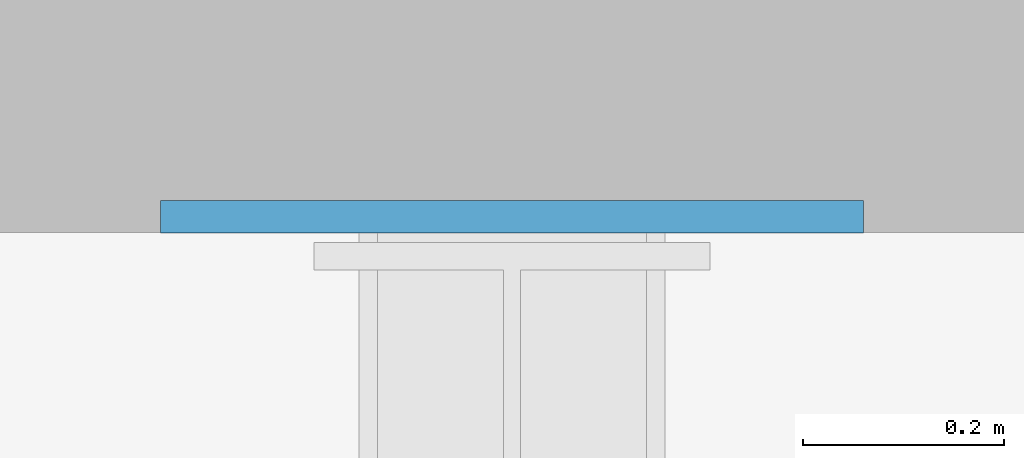
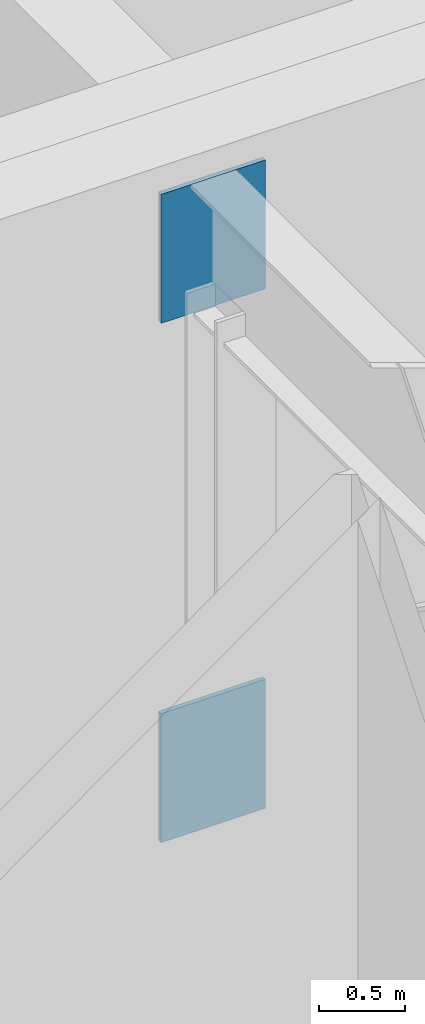
# One storey, part 19 of 21: 2 discrete accessories.
"""IFC4 building model written with IfcOpenShell, lengths in metres."""

from ifc_helpers import new_model, si_unit, direction, frame, origin, origin_2d, place, context, subcontext, project, spatial, rectangle, extrude, material, layer, layer_set, type_object, element, save


model = new_model("IFC4")

# Units and contexts
model_context = context("Model", 3, precision=1e-05, world=origin(), true_north=direction((0.0, 1.0)))
body_context = subcontext(model_context, "Body", "Model", "MODEL_VIEW")
ifc_project = project(units=[si_unit("LENGTHUNIT", "METRE"), si_unit("AREAUNIT", "SQUARE_METRE"), si_unit("VOLUMEUNIT", "CUBIC_METRE"), si_unit("PLANEANGLEUNIT", "RADIAN"), si_unit("MASSUNIT", "GRAM", prefix="KILO")], contexts=[model_context])

# Site, building, storey
site_placement = place(None, origin())
site = spatial("IfcSite", under=ifc_project, at=site_placement, CompositionType="ELEMENT")
building_placement = place(site_placement, origin())
building = spatial("IfcBuilding", under=site, at=building_placement, Name="Tessera Gate Towers", CompositionType="ELEMENT")
storey_placement = place(building_placement, frame((0.0, 0.0, 63.800048828125)))
storey = spatial("IfcBuildingStorey", under=building, at=storey_placement, Name="L15", CompositionType="ELEMENT", Elevation=63.800048828125)

# Discrete accessories
ifc_material = material(Name="Steel 350W", Category="steel")
ifc_layer = layer(ifc_material, 0.031982421875)
ifc_layer_set = layer_set([ifc_layer], Name="CAST-IN PLATE W920x238 CHORD NODE")
discrete_accessory_type = type_object("IfcDiscreteAccessoryType", Name="CAST-IN PLATE W920x238 CHORD NODE", PredefinedType="ANCHORPLATE", material=ifc_layer_set)
for number, where, z_axis, x_axis, name in (
    (1, (109.800048828125, 36.615966796875, 3.684814453125), (0.0, 0.0, 1.0), (1.0, 0.0, 0.0), "Cast-in plate CP1 Outrigger truss T2 L15 S1a top node"),
    (2, (109.800048828125, 36.615966796875, 0.0), (0.0, 0.0, 1.0), (1.0, 0.0, 0.0), "Cast-in plate CP1 Outrigger truss T2 L15 S1a bottom node"),
):
    element("IfcDiscreteAccessory", number, at=place(storey_placement, frame(where, z_axis=z_axis, x_axis=x_axis)), inside=storey, type_object=discrete_accessory_type, Name=name, PredefinedType="ANCHORPLATE", context=body_context, shape_type="SweptSolid", body=[
        extrude(rectangle(XDim=0.699951171875, YDim=0.031982421875, at=origin_2d()), origin(), (0.0, 0.0, 1.0), 0.9150390625),
    ])

save(model, "model.ifc")
